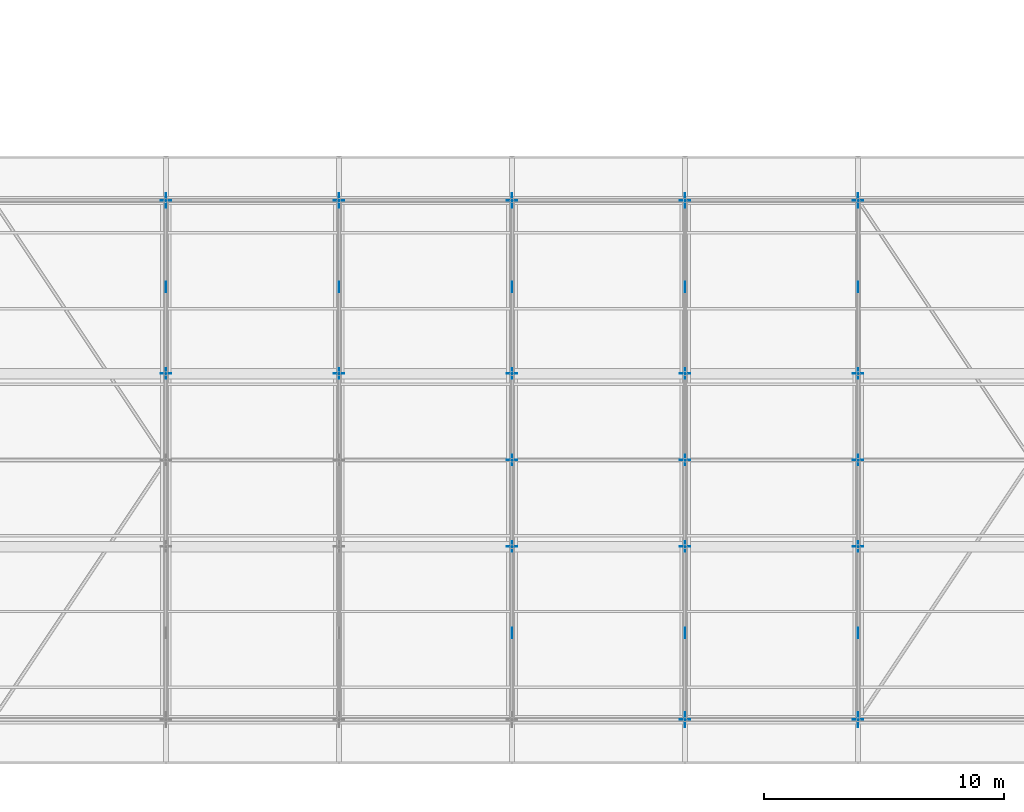
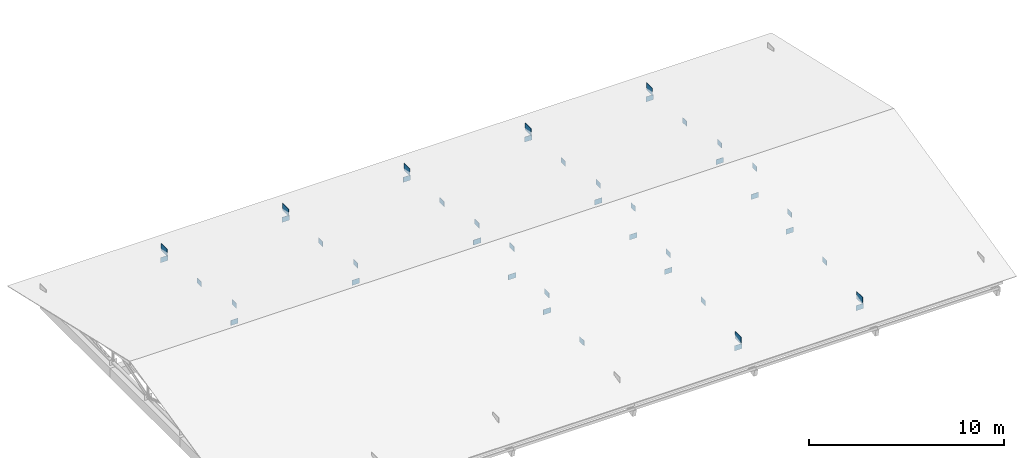
# One storey, part 69 of 93: 44 plates.
"""IFC4 building model written with IfcOpenShell, lengths in metres."""

import ifcopenshell
import ifcopenshell.guid

model = None  # the IFC model being written
_history = None  # IfcOwnerHistory: only IFC2X3 demands one
_inside = {}  # id of a spatial element -> (the spatial element, [elements in it])
_under = {}  # id of a project, library or spatial element -> (it, [spatial elements below it])
_declared = {}  # id of a project -> (the project, [libraries it declares])
_typed = {}  # id of a type object -> (the type object, [elements of that type])
_made_of = {}  # id of a material, layer set ... -> (it, [elements and type objects made of it])


def new_model(schema):
    """Start an empty IFC model of exactly this schema.

    Asked for "IFC4X3", IfcOpenShell would pick the latest addendum, in which some entities
    have other attributes; the version numbers below select the first issue.
    IFC2X3 requires an IfcOwnerHistory on every rooted entity: one is made here for all.
    """
    global model, _history
    if schema == "IFC4X3":
        model = ifcopenshell.file(schema_version=(4, 3, 0, 0))
    else:
        model = ifcopenshell.file(schema=schema)
    _inside.clear()
    _under.clear()
    _declared.clear()
    _typed.clear()
    _made_of.clear()
    _history = None
    if model.schema == "IFC2X3":
        org = make("IfcOrganization", Name="unknown")
        user = make(
            "IfcPersonAndOrganization",
            ThePerson=make("IfcPerson", FamilyName="unknown"),
            TheOrganization=org,
        )
        app = make(
            "IfcApplication",
            ApplicationDeveloper=org,
            Version="unknown",
            ApplicationFullName="unknown",
            ApplicationIdentifier="unknown",
        )
        _history = make(
            "IfcOwnerHistory",
            OwningUser=user,
            OwningApplication=app,
            ChangeAction="ADDED",
            CreationDate=0,
        )
    return model


def make(cls, **values):
    """One entity of the class cls with the attributes given. An attribute that is None is left unset."""
    return model.create_entity(
        cls, **{name: value for name, value in values.items() if value is not None}
    )


def rooted(cls, **values):
    """An entity with a GlobalId (a new one), such as an element, a storey or a relation."""
    return make(cls, GlobalId=ifcopenshell.guid.new(), OwnerHistory=_history, **values)


def si_unit(unit_type, name, prefix=None):
    """IfcSIUnit, for example si_unit("LENGTHUNIT", "METRE", prefix="MILLI")."""
    return make("IfcSIUnit", UnitType=unit_type, Prefix=prefix, Name=name)


def assignment(units):
    """IfcUnitAssignment: the units of a project."""
    return None if units is None else make("IfcUnitAssignment", Units=units)


def point(xyz):
    """IfcCartesianPoint."""
    return None if xyz is None else make("IfcCartesianPoint", Coordinates=xyz)


def direction(xyz):
    """IfcDirection."""
    return None if xyz is None else make("IfcDirection", DirectionRatios=xyz)


def frame(location, z_axis=None, x_axis=None):
    """IfcAxis2Placement3D, a coordinate frame: its origin and axes. An axis left out is left unset."""
    return make(
        "IfcAxis2Placement3D",
        Location=point(location),
        Axis=direction(z_axis),
        RefDirection=direction(x_axis),
    )


def frame_2d(location, x_axis=None):
    """IfcAxis2Placement2D, a coordinate frame in the plane: its origin and x axis."""
    return make(
        "IfcAxis2Placement2D", Location=point(location), RefDirection=direction(x_axis)
    )


def origin():
    """The frame at (0, 0, 0) with its axes left unset."""
    return frame((0.0, 0.0, 0.0))


def origin_2d():
    """The frame at (0, 0) in the plane with its x axis left unset."""
    return frame_2d((0.0, 0.0))


def place(relative_to, where):
    """IfcLocalPlacement: puts the frame where relative to a parent placement (None: the world)."""
    return make(
        "IfcLocalPlacement", PlacementRelTo=relative_to, RelativePlacement=where
    )


def context(
    kind, dimensions, precision=None, world=None, true_north=None, identifier=None
):
    """IfcGeometricRepresentationContext, for example the 3D "Model" context."""
    return make(
        "IfcGeometricRepresentationContext",
        ContextIdentifier=identifier,
        ContextType=kind,
        CoordinateSpaceDimension=dimensions,
        Precision=precision,
        WorldCoordinateSystem=world,
        TrueNorth=true_north,
    )


def subcontext(parent, identifier, kind, view, scale=None):
    """IfcGeometricRepresentationSubContext, for example "Body" below "Model"."""
    return make(
        "IfcGeometricRepresentationSubContext",
        ContextIdentifier=identifier,
        ContextType=kind,
        ParentContext=parent,
        TargetScale=scale,
        TargetView=view,
    )


def project(units=None, contexts=None):
    """IfcProject with its units and contexts."""
    return rooted(
        "IfcProject",
        Name="project",
        RepresentationContexts=contexts,
        UnitsInContext=assignment(units),
    )


def spatial(cls, under=None, at=None, **own):
    """A site, building, storey or space (cls), placed at a placement, below another one or the project."""
    s = rooted(cls, ObjectPlacement=at, **own)
    if under is not None:
        _under.setdefault(under.id(), (under, []))[1].append(s)
    return s


def profile(cls, at=None, kind="AREA", **sizes):
    """A parametric profile (cls). Its sizes go by their IFC names, for example OverallWidth=200.0."""
    return make(cls, ProfileType=kind, Position=at, **sizes)


def rectangle(**sizes):
    """IfcRectangleProfileDef."""
    return profile("IfcRectangleProfileDef", **sizes)


def extrude(swept, where, along, depth):
    """IfcExtrudedAreaSolid: the profile swept, set in the frame where, extruded along a direction by depth."""
    return make(
        "IfcExtrudedAreaSolid",
        SweptArea=swept,
        Position=where,
        ExtrudedDirection=direction(along),
        Depth=depth,
    )


def shape(context_of_items, identifier, shape_type, items):
    """IfcShapeRepresentation: the items that make up one representation, for example the "Body"."""
    return make(
        "IfcShapeRepresentation",
        ContextOfItems=context_of_items,
        RepresentationIdentifier=identifier,
        RepresentationType=shape_type,
        Items=items,
    )


def material(Name=None, Category=None):
    """IfcMaterial."""
    return make("IfcMaterial", Name=Name, Category=Category)


def layer(
    of_material, thickness, ventilated=None, Name=None, Category=None, Priority=None
):
    """IfcMaterialLayer: one layer of a wall or slab, of a material (None: an air gap)."""
    return make(
        "IfcMaterialLayer",
        Material=of_material,
        LayerThickness=thickness,
        IsVentilated=ventilated,
        Name=Name,
        Category=Category,
        Priority=Priority,
    )


def layer_set(layers, Name=None):
    """IfcMaterialLayerSet."""
    return make("IfcMaterialLayerSet", MaterialLayers=layers, LayerSetName=Name)


def made_of(thing, what):
    """Note that an element or type object is made of a material, layer set ...; save() writes the relation."""
    if what is not None:
        _made_of.setdefault(what.id(), (what, []))[1].append(thing)
    return thing


def type_object(cls, material=None, **own):
    """A type object (cls), such as IfcWallType, which elements share."""
    return made_of(rooted(cls, **own), material)


def element(
    cls,
    number,
    at=None,
    inside=None,
    cuts=None,
    type_object=None,
    material=None,
    context=None,
    identifier="Body",
    shape_type=None,
    held_by="IfcProductDefinitionShape",
    body=None,
    shapes=None,
    **own,
):
    """One element of the class cls, such as IfcWall. Its Tag is "e" and its number.

    at: its placement. inside: the storey or other place that contains it. cuts: it is an
    opening in that element (IfcRelVoidsElement). A single representation is given by context,
    identifier, shape_type and body (its items); several are given by shapes. held_by: the class
    of the entity that holds the representations. save() writes the other relations.
    """
    e = rooted(cls, Tag="e%d" % number, ObjectPlacement=at, **own)
    if body is not None:
        shapes = [shape(context, identifier, shape_type, body)]
    if shapes is not None:
        e.Representation = make(held_by, Representations=shapes)
    if inside is not None:
        _inside.setdefault(inside.id(), (inside, []))[1].append(e)
    if cuts is not None:
        rooted(
            "IfcRelVoidsElement", RelatingBuildingElement=cuts, RelatedOpeningElement=e
        )
    if type_object is not None:
        _typed.setdefault(type_object.id(), (type_object, []))[1].append(e)
    return made_of(e, material)


def aggregate(whole, parts):
    """IfcRelAggregates: a whole, such as a stair, and the parts it consists of."""
    return rooted("IfcRelAggregates", RelatingObject=whole, RelatedObjects=parts)


def save(model, path):
    """Write the relations noted so far, then the file.

    IfcRelAggregates (storeys below a building ...), IfcRelContainedInSpatialStructure (elements
    in a storey), IfcRelDefinesByType, IfcRelAssociatesMaterial and IfcRelDeclares: one each for
    every whole, place, type object, material and project.
    """
    for whole, parts in _under.values():
        aggregate(whole, parts)
    for where, things in _inside.values():
        rooted(
            "IfcRelContainedInSpatialStructure",
            RelatedElements=things,
            RelatingStructure=where,
        )
    for kind, things in _typed.values():
        rooted("IfcRelDefinesByType", RelatedObjects=things, RelatingType=kind)
    for what, things in _made_of.values():
        rooted("IfcRelAssociatesMaterial", RelatedObjects=things, RelatingMaterial=what)
    for by, libraries in _declared.values():
        rooted("IfcRelDeclares", RelatingContext=by, RelatedDefinitions=libraries)
    model.write(path)


model = new_model("IFC4")

# Units and contexts
model_context = context("Model", 3, precision=1e-05, world=origin(), true_north=direction((0.0, 1.0)))
body_context = subcontext(model_context, "Body", "Model", "MODEL_VIEW")
ifc_project = project(units=[si_unit("LENGTHUNIT", "METRE"), si_unit("AREAUNIT", "SQUARE_METRE"), si_unit("VOLUMEUNIT", "CUBIC_METRE"), si_unit("PLANEANGLEUNIT", "RADIAN"), si_unit("MASSUNIT", "GRAM", prefix="KILO")], contexts=[model_context])

# Site, building, storey
site_placement = place(None, origin())
site = spatial("IfcSite", under=ifc_project, at=site_placement, CompositionType="ELEMENT")
building_placement = place(site_placement, origin())
building = spatial("IfcBuilding", under=site, at=building_placement, Name="Zornivar Specialist Clinic", CompositionType="ELEMENT")
storey_placement = place(building_placement, frame((0.0, 0.0, 8.39990234375)))
storey = spatial("IfcBuildingStorey", under=building, at=storey_placement, Name="L02", CompositionType="ELEMENT", Elevation=8.39990234375)

# Plates
ifc_material_1 = material(Name="Steel S355J2", Category="steel")
ifc_layer_1 = layer(ifc_material_1, 0.02197265625)
ifc_layer_set_1 = layer_set([ifc_layer_1], Name="Steel S355J2")
plate_type_1 = type_object("IfcPlateType", Name="PL-GUSSET-HEEL-22", PredefinedType="USERDEFINED", material=ifc_layer_set_1)
for number, where, z_axis, x_axis, name in (
    (1, (129.60009765625, 21.60009765625, 0.27001953125), (0.0, 0.0, 1.0), (1.0, 0.0, 0.0), "plate:V4:L02:heel:1:N"),
    (2, (136.800048828125, 21.60009765625, 0.27001953125), (0.0, 0.0, 1.0), (1.0, 0.0, 0.0), "plate:V4:L02:heel:2:N"),
    (3, (144.0, 21.60009765625, 0.27001953125), (0.0, 0.0, 1.0), (1.0, 0.0, 0.0), "plate:V4:L02:heel:3:N"),
    (4, (151.199951171875, 0.0, 0.27001953125), (0.0, 0.0, 1.0), (1.0, 0.0, 0.0), "plate:V4:L02:heel:4:S"),
    (5, (151.199951171875, 21.60009765625, 0.27001953125), (0.0, 0.0, 1.0), (1.0, 0.0, 0.0), "plate:V4:L02:heel:4:N"),
    (6, (158.39990234375, 0.0, 0.27001953125), (0.0, 0.0, 1.0), (1.0, 0.0, 0.0), "plate:V4:L02:heel:5:S"),
    (7, (158.39990234375, 21.60009765625, 0.27001953125), (0.0, 0.0, 1.0), (1.0, 0.0, 0.0), "plate:V4:L02:heel:5:N"),
):
    element("IfcPlate", number, at=place(storey_placement, frame(where, z_axis=z_axis, x_axis=x_axis)), inside=storey, type_object=plate_type_1, Name=name, ObjectType="GUSSET PLATE", PredefinedType="USERDEFINED", context=body_context, shape_type="SweptSolid", body=[
        extrude(rectangle(XDim=0.02197265625, YDim=0.6201171875, at=origin_2d()), origin(), (0.0, 0.0, 1.0), 0.43994140625),
    ])
ifc_material_2 = material(Name="Steel S355J2", Category="steel")
ifc_layer_2 = layer(ifc_material_2, 0.01806640625)
ifc_layer_set_2 = layer_set([ifc_layer_2], Name="Steel S355J2")
plate_type_2 = type_object("IfcPlateType", Name="PL-GUSSET-V4-18", PredefinedType="USERDEFINED", material=ifc_layer_set_2)
for number, where, z_axis, x_axis, name in (
    (8, (144.0, 10.800048828125, 2.001953125), (0.0, 0.0, 1.0), (1.0, 0.0, 0.0), "plate:V4:L02:ridge:3"),
    (9, (151.199951171875, 10.800048828125, 2.001953125), (0.0, 0.0, 1.0), (1.0, 0.0, 0.0), "plate:V4:L02:ridge:4"),
    (10, (158.39990234375, 10.800048828125, 2.001953125), (0.0, 0.0, 1.0), (1.0, 0.0, 0.0), "plate:V4:L02:ridge:5"),
):
    element("IfcPlate", number, at=place(storey_placement, frame(where, z_axis=z_axis, x_axis=x_axis)), inside=storey, type_object=plate_type_2, Name=name, ObjectType="GUSSET PLATE", PredefinedType="USERDEFINED", context=body_context, shape_type="SweptSolid", body=[
        extrude(rectangle(XDim=0.01806640625, YDim=0.43994140625, at=origin_2d()), origin(), (0.0, 0.0, 1.0), 0.320068359375),
    ])
for number, where, z_axis, x_axis, name in (
    (11, (129.60009765625, 21.60009765625, -0.23974609375), (0.0, 0.0, 1.0), (1.0, 0.0, 0.0), "plate:bnode:L02:101"),
    (12, (129.60009765625, 14.39990234375, 1.2939453125), (0.0, 0.0, 1.0), (0.0, 1.0, 0.0), "plate:bnode:L02:106"),
    (13, (129.60009765625, 14.39990234375, 0.18017578125), (0.0, 0.0, 1.0), (1.0, 0.0, 0.0), "plate:bnode:L02:107"),
    (14, (129.60009765625, 18.0, 0.46484375), (0.0, 0.0, 1.0), (0.0, 1.0, 0.0), "plate:bnode:L02:108"),
    (15, (136.800048828125, 21.60009765625, -0.23974609375), (0.0, 0.0, 1.0), (1.0, 0.0, 0.0), "plate:bnode:L02:110"),
    (16, (136.800048828125, 14.39990234375, 1.2939453125), (0.0, 0.0, 1.0), (0.0, 1.0, 0.0), "plate:bnode:L02:115"),
    (17, (136.800048828125, 14.39990234375, 0.18017578125), (0.0, 0.0, 1.0), (1.0, 0.0, 0.0), "plate:bnode:L02:116"),
    (18, (136.800048828125, 18.0, 0.46484375), (0.0, 0.0, 1.0), (0.0, 1.0, 0.0), "plate:bnode:L02:117"),
    (19, (144.0, 21.60009765625, -0.23974609375), (0.0, 0.0, 1.0), (1.0, 0.0, 0.0), "plate:bnode:L02:119"),
    (20, (144.0, 10.800048828125, 0.18017578125), (0.0, 0.0, 1.0), (1.0, 0.0, 0.0), "plate:bnode:L02:120"),
    (21, (144.0, 7.199951171875, 1.2939453125), (0.0, 0.0, 1.0), (0.0, 1.0, 0.0), "plate:bnode:L02:121"),
    (22, (144.0, 7.199951171875, 0.18017578125), (0.0, 0.0, 1.0), (1.0, 0.0, 0.0), "plate:bnode:L02:122"),
    (23, (144.0, 3.60009765625, 0.46484375), (0.0, 0.0, 1.0), (0.0, 1.0, 0.0), "plate:bnode:L02:123"),
    (24, (144.0, 14.39990234375, 1.2939453125), (0.0, 0.0, 1.0), (0.0, 1.0, 0.0), "plate:bnode:L02:124"),
    (25, (144.0, 14.39990234375, 0.18017578125), (0.0, 0.0, 1.0), (1.0, 0.0, 0.0), "plate:bnode:L02:125"),
    (26, (144.0, 18.0, 0.46484375), (0.0, 0.0, 1.0), (0.0, 1.0, 0.0), "plate:bnode:L02:126"),
    (27, (151.199951171875, 0.0, -0.23974609375), (0.0, 0.0, 1.0), (1.0, 0.0, 0.0), "plate:bnode:L02:127"),
    (28, (151.199951171875, 21.60009765625, -0.23974609375), (0.0, 0.0, 1.0), (1.0, 0.0, 0.0), "plate:bnode:L02:128"),
    (29, (151.199951171875, 10.800048828125, 0.18017578125), (0.0, 0.0, 1.0), (1.0, 0.0, 0.0), "plate:bnode:L02:129"),
    (30, (151.199951171875, 7.199951171875, 1.2939453125), (0.0, 0.0, 1.0), (0.0, 1.0, 0.0), "plate:bnode:L02:130"),
    (31, (151.199951171875, 7.199951171875, 0.18017578125), (0.0, 0.0, 1.0), (1.0, 0.0, 0.0), "plate:bnode:L02:131"),
    (32, (151.199951171875, 3.60009765625, 0.46484375), (0.0, 0.0, 1.0), (0.0, 1.0, 0.0), "plate:bnode:L02:132"),
    (33, (151.199951171875, 14.39990234375, 1.2939453125), (0.0, 0.0, 1.0), (0.0, 1.0, 0.0), "plate:bnode:L02:133"),
    (34, (151.199951171875, 14.39990234375, 0.18017578125), (0.0, 0.0, 1.0), (1.0, 0.0, 0.0), "plate:bnode:L02:134"),
    (35, (151.199951171875, 18.0, 0.46484375), (0.0, 0.0, 1.0), (0.0, 1.0, 0.0), "plate:bnode:L02:135"),
    (36, (158.39990234375, 0.0, -0.23974609375), (0.0, 0.0, 1.0), (1.0, 0.0, 0.0), "plate:bnode:L02:136"),
    (37, (158.39990234375, 21.60009765625, -0.23974609375), (0.0, 0.0, 1.0), (1.0, 0.0, 0.0), "plate:bnode:L02:137"),
    (38, (158.39990234375, 10.800048828125, 0.18017578125), (0.0, 0.0, 1.0), (1.0, 0.0, 0.0), "plate:bnode:L02:138"),
    (39, (158.39990234375, 7.199951171875, 1.2939453125), (0.0, 0.0, 1.0), (0.0, 1.0, 0.0), "plate:bnode:L02:139"),
    (40, (158.39990234375, 7.199951171875, 0.18017578125), (0.0, 0.0, 1.0), (1.0, 0.0, 0.0), "plate:bnode:L02:140"),
    (41, (158.39990234375, 3.60009765625, 0.46484375), (0.0, 0.0, 1.0), (0.0, 1.0, 0.0), "plate:bnode:L02:141"),
    (42, (158.39990234375, 14.39990234375, 1.2939453125), (0.0, 0.0, 1.0), (0.0, 1.0, 0.0), "plate:bnode:L02:142"),
    (43, (158.39990234375, 14.39990234375, 0.18017578125), (0.0, 0.0, 1.0), (1.0, 0.0, 0.0), "plate:bnode:L02:143"),
    (44, (158.39990234375, 18.0, 0.46484375), (0.0, 0.0, 1.0), (0.0, 1.0, 0.0), "plate:bnode:L02:144"),
):
    element("IfcPlate", number, at=place(storey_placement, frame(where, z_axis=z_axis, x_axis=x_axis)), inside=storey, type_object=plate_type_2, Name=name, ObjectType="GUSSET PLATE", PredefinedType="USERDEFINED", context=body_context, shape_type="SweptSolid", body=[
        extrude(rectangle(XDim=0.43994140625, YDim=0.01806640625, at=origin_2d()), origin(), (0.0, 0.0, 1.0), 0.320068359375),
    ])

save(model, "model.ifc")
